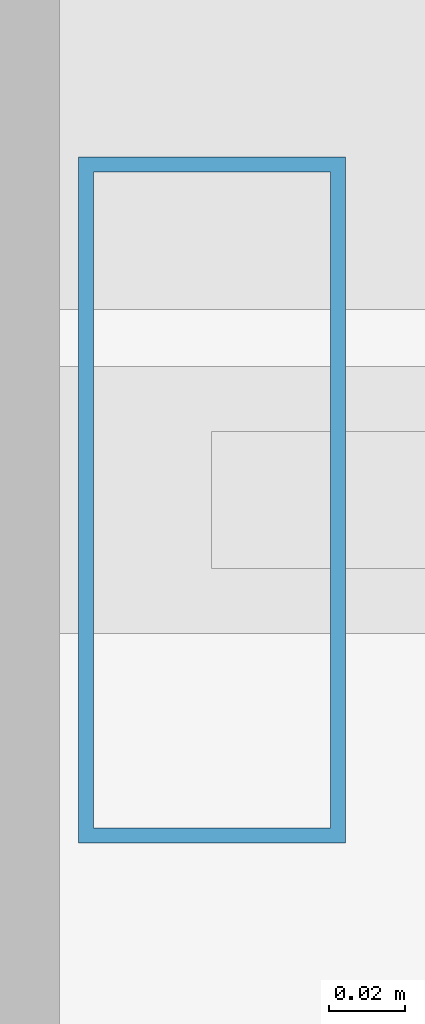
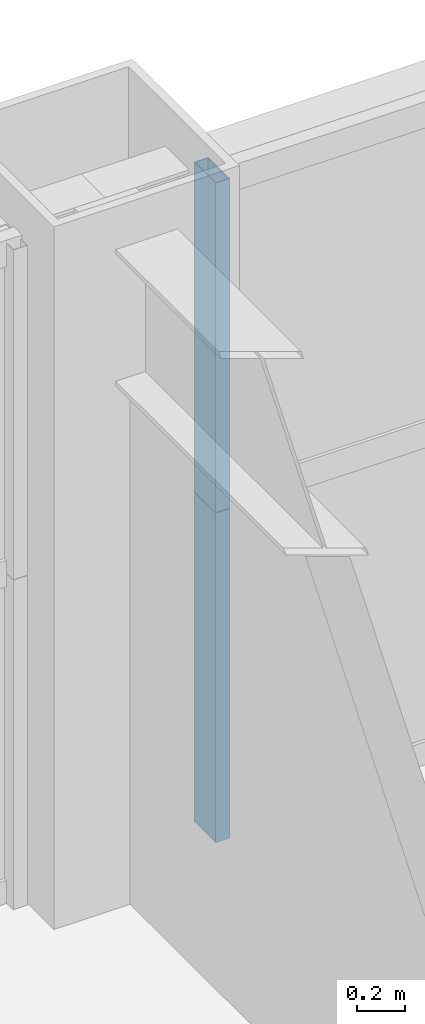
# One storey, part 30 of 43: 2 members, 1 element without a shape of its own.
"""IFC4 building model written with IfcOpenShell, lengths in metres."""

from ifc_helpers import new_model, si_unit, direction, frame, origin, origin_2d, place, context, subcontext, project, spatial, hollow_rectangle, extrude, source, transform, mapped, material, layer, layer_set, material_profile, profile_set, type_object, element, aggregate, save


model = new_model("IFC4")

# Units and contexts
model_context = context("Model", 3, precision=1e-05, world=origin(), true_north=direction((0.0, 1.0)))
body_context = subcontext(model_context, "Body", "Model", "MODEL_VIEW")
ifc_project = project(units=[si_unit("LENGTHUNIT", "METRE"), si_unit("AREAUNIT", "SQUARE_METRE"), si_unit("VOLUMEUNIT", "CUBIC_METRE"), si_unit("PLANEANGLEUNIT", "RADIAN"), si_unit("MASSUNIT", "GRAM", prefix="KILO"), si_unit("THERMODYNAMICTEMPERATUREUNIT", "KELVIN"), si_unit("POWERUNIT", "WATT")], contexts=[model_context])

# Site, building, storey
site_placement = place(None, origin())
site = spatial("IfcSite", under=ifc_project, at=site_placement, CompositionType="ELEMENT")
building_placement = place(site_placement, origin())
building = spatial("IfcBuilding", under=site, at=building_placement, Name="Yuzanri Waterfront Tower", CompositionType="ELEMENT")
storey_placement = place(building_placement, frame((0.0, 0.0, 101.0)))
storey = spatial("IfcBuildingStorey", under=building, at=storey_placement, Name="L26", CompositionType="ELEMENT", Elevation=101.0)

# Curtain wall, members
ifc_material_1 = material(Name="Anodized Architectural Bronze", Category="metal")
ifc_layer = layer(ifc_material_1, 0.159912109375)
ifc_layer_set = layer_set([ifc_layer], Name="Anodized Architectural Bronze")
curtain_wall_type = type_object("IfcCurtainWallType", Name="Anodized Bronze Hotel Upper-Tier Solar-Control Unitized Curtain Wall 7800", PredefinedType="NOTDEFINED", material=ifc_layer_set)
curtain_wall_placement = place(storey_placement, origin())
curtain_wall = element("IfcCurtainWall", 1, at=curtain_wall_placement, inside=storey, type_object=curtain_wall_type, Name="L26 Curtain Wall CW-L26-NR", PredefinedType="NOTDEFINED")
ifc_material_2 = material(Name="Anodized Architectural Bronze", Category="metal")
ifc_material_profile = material_profile(ifc_material_2, hollow_rectangle(XDim=0.070068359375, YDim=0.179931640625, WallThickness=0.00390625, at=origin_2d()), Name="CWM 70x180")
ifc_profile_set = profile_set([ifc_material_profile], Name="Anodized Architectural Bronze")
member_type = type_object("IfcMemberType", Name="Anodized Bronze Standard Curtain-Wall Mullion 70x180", PredefinedType="MULLION", material=ifc_profile_set)
shared_shape = source(origin(), body_context, "Body", "SweptSolid", [
    extrude(hollow_rectangle(XDim=0.070068359375, YDim=0.179931640625, WallThickness=0.00390625, at=origin_2d()), origin(), (0.0, 0.0, 1.0), 1.68798828125),
])
member_1_placement = place(storey_placement, frame((37.489990234375, 49.25, 0.0), z_axis=(0.0, 0.0, 1.0), x_axis=(1.0, 0.0, 0.0)))
member_1 = element("IfcMember", 2, at=member_1_placement, type_object=member_type, Name="CW-L26-NR Lower Mullion 00", PredefinedType="MULLION", context=body_context, shape_type="MappedRepresentation", body=[
    mapped(shared_shape, transform((0.0, 0.0, 0.0), scale=1.0)),
])
member_2_placement = place(storey_placement, frame((37.489990234375, 49.25, 1.69189453125), z_axis=(0.0, 0.0, 1.0), x_axis=(1.0, 0.0, 0.0)))
member_2 = element("IfcMember", 3, at=member_2_placement, type_object=member_type, Name="CW-L26-NR Upper Mullion 00", PredefinedType="MULLION", context=body_context, shape_type="MappedRepresentation", body=[
    mapped(shared_shape, transform((0.0, 0.0, 0.0), scale=1.0)),
])
aggregate(curtain_wall, [member_1, member_2])

save(model, "model.ifc")
